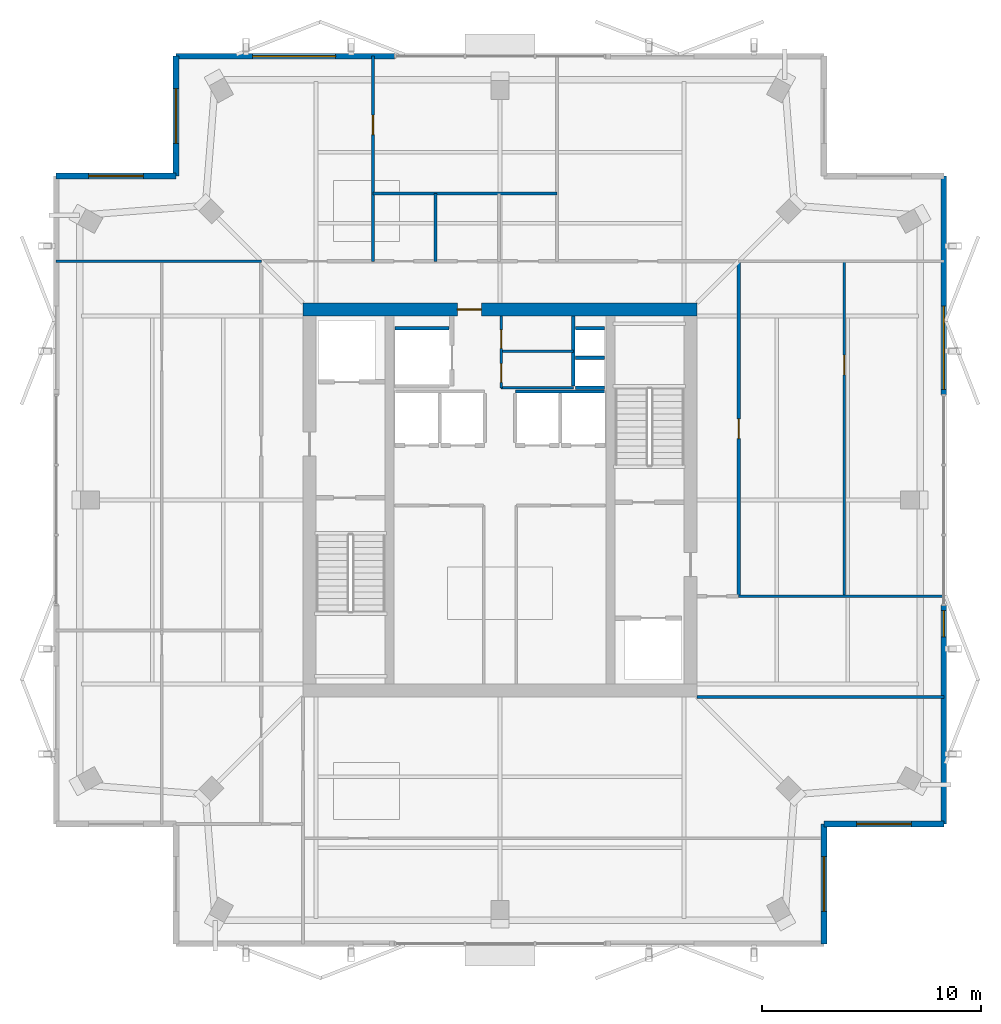
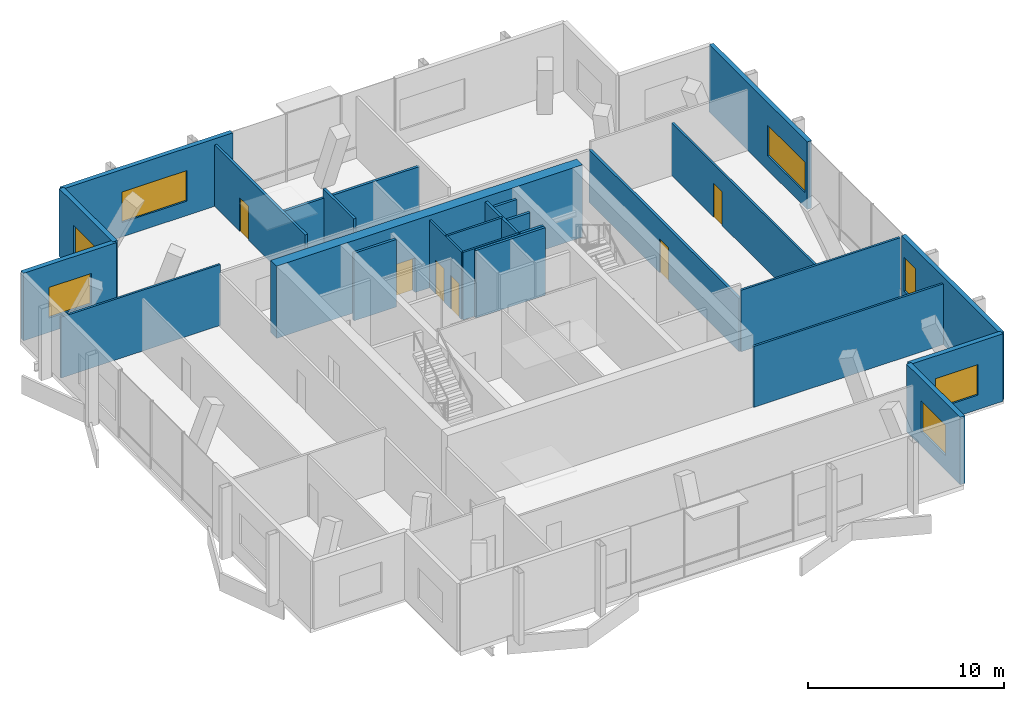
# One storey, part 13 of 16: 25 walls, 7 windows, 6 doors, 13 openings.
"""IFC4 building model written with IfcOpenShell, lengths in metres."""

from ifc_helpers import new_model, si_unit, direction, frame, frame_2d, origin, place, context, subcontext, project, spatial, rectangle, extrude, material, layer, layer_set, type_object, element, fill, save


model = new_model("IFC4")

# Units and contexts
model_context = context("Model", 3, precision=1e-05, world=origin(), true_north=direction((0.0, 1.0)))
body_context = subcontext(model_context, "Body", "Model", "MODEL_VIEW")
ifc_project = project(units=[si_unit("LENGTHUNIT", "METRE"), si_unit("AREAUNIT", "SQUARE_METRE"), si_unit("VOLUMEUNIT", "CUBIC_METRE"), si_unit("PLANEANGLEUNIT", "RADIAN"), si_unit("MASSUNIT", "GRAM", prefix="KILO")], contexts=[model_context])

# Site, building, storey
site_placement = place(None, origin())
site = spatial("IfcSite", under=ifc_project, at=site_placement, CompositionType="ELEMENT")
building_placement = place(site_placement, origin())
building = spatial("IfcBuilding", under=site, at=building_placement, Name="Belovzor Exchange Tower", CompositionType="ELEMENT")
storey_placement = place(building_placement, frame((0.0, 0.0, 364.5)))
storey = spatial("IfcBuildingStorey", under=building, at=storey_placement, Name="L91", CompositionType="ELEMENT", Elevation=364.5)

# Walls
ifc_material_1 = material(Name="Acoustic Plasterboard on Galvanised Studs", Category="gypsum")
ifc_layer_1 = layer(ifc_material_1, 0.1201171875)
ifc_layer_set_1 = layer_set([ifc_layer_1], Name="Acoustic Plasterboard on Galvanised Studs")
wall_type_1 = type_object("IfcWallType", Name="Acoustic Double-Stud Partition Wall 120", PredefinedType="PARTITIONING", material=ifc_layer_set_1)
wall_1_placement = place(storey_placement, frame((37.800048828125, 19.800048828125, 0.0), z_axis=(0.0, 0.0, 1.0), x_axis=(1.0, 0.0, 0.0)))
element("IfcWall", 1, at=wall_1_placement, inside=storey, type_object=wall_type_1, Name="W-P120 Partition Wall W-L91-ESS", PredefinedType="PARTITIONING", context=body_context, shape_type="SweptSolid", body=[
    extrude(rectangle(XDim=11.27001953125, YDim=0.1201171875, at=frame_2d((5.635009765625, 0.0))), origin(), (0.0, 0.0, 1.0), 3.784912109375),
])
wall_2_placement = place(storey_placement, frame((39.699951171875, 24.39990234375, 0.0), z_axis=(0.0, 0.0, 1.0), x_axis=(1.0, 0.0, 0.0)))
element("IfcWall", 2, at=wall_2_placement, inside=storey, type_object=wall_type_1, Name="W-P120 Partition Wall W-L91-ESN", PredefinedType="PARTITIONING", context=body_context, shape_type="SweptSolid", body=[
    extrude(rectangle(XDim=9.3701171875, YDim=0.1201171875, at=frame_2d((4.68505859375, 0.0))), origin(), (0.0, 0.0, 1.0), 3.824951171875),
])

# Wall, opening, door
wall_3_placement = place(storey_placement, frame((44.528076171875, 24.39990234375, 0.0), z_axis=(0.0, 0.0, 1.0), x_axis=(0.0, 1.0, 0.0)))
wall_3 = element("IfcWall", 3, at=wall_3_placement, inside=storey, type_object=wall_type_1, Name="W-P120 Partition Wall W-L91-EHDIV-0", PredefinedType="PARTITIONING", context=body_context, shape_type="SweptSolid", body=[
    extrude(rectangle(XDim=15.300048828125, YDim=0.1201171875, at=frame_2d((7.64990234375, 0.0))), origin(), (0.0, 0.0, 1.0), 3.284912109375),
])
opening_1_placement = place(wall_3_placement, frame((10.116943359375, 0.0, 0.0)))
opening_1 = element("IfcOpeningElement", 4, at=opening_1_placement, cuts=wall_3, Name="Opening D-INT-090", PredefinedType="OPENING", context=body_context, shape_type="SweptSolid", body=[
    extrude(rectangle(XDim=0.89990234375, YDim=2.10009765625, at=frame_2d((0.449951171875, 1.050048828125))), frame((0.0, 0.070068359375, 0.0), z_axis=(0.0, -1.0, 0.0), x_axis=(1.0, 0.0, 0.0)), (0.0, 0.0, 1.0), 0.14013671875),
])
ifc_material_2 = material(Name="Veneered Hardwood Acoustic Leaf", Category="wood")
door_type_1 = type_object("IfcDoorType", Name="Trading Suite Acoustic Single Door 900x2100", OperationType="NOTDEFINED", PredefinedType="DOOR", material=ifc_material_2)
door_1_placement = place(opening_1_placement, origin())
door_1 = element("IfcDoor", 5, at=door_1_placement, inside=storey, type_object=door_type_1, Name="D-INT-090 Trading Suite Acoustic Single Door 900x2100", OperationType="SINGLE_SWING_RIGHT", OverallHeight=2.10009765625, OverallWidth=0.89990234375, PredefinedType="DOOR", context=body_context, shape_type="SweptSolid", body=[
    extrude(rectangle(XDim=0.89990234375, YDim=2.10009765625, at=frame_2d((0.449951171875, 1.050048828125))), frame((0.0, 0.02490234375, 0.0), z_axis=(0.0, -1.0, 0.0), x_axis=(1.0, 0.0, 0.0)), (0.0, 0.0, 1.0), 0.050048828125),
])
fill(opening_1, door_1)

# Wall
wall_4_placement = place(storey_placement, frame((8.530029296875, 39.699951171875, 0.0), z_axis=(0.0, 0.0, 1.0), x_axis=(1.0, 0.0, 0.0)))
element("IfcWall", 6, at=wall_4_placement, inside=storey, type_object=wall_type_1, Name="W-P120 Partition Wall W-L91-END-NW", PredefinedType="PARTITIONING", context=body_context, shape_type="SweptSolid", body=[
    extrude(rectangle(XDim=9.369873046875, YDim=0.1201171875, at=frame_2d((4.68505859375, 0.0))), origin(), (0.0, 0.0, 1.0), 3.784912109375),
])

# Wall, openings, doors
ifc_material_3 = material(Name="Fire-Rated Plasterboard on Galvanised Studs", Category="gypsum")
ifc_layer_2 = layer(ifc_material_3, 0.1201171875)
ifc_layer_set_2 = layer_set([ifc_layer_2], Name="Fire-Rated Plasterboard on Galvanised Studs")
wall_type_2 = type_object("IfcWallType", Name="Fire-Rated Double-Stud Partition Wall 120", PredefinedType="PARTITIONING", material=ifc_layer_set_2)
wall_5_placement = place(storey_placement, frame((28.85009765625, 33.925048828125, 0.0), z_axis=(0.0, 0.0, 1.0), x_axis=(0.0, 1.0, 0.0)))
wall_5 = element("IfcWall", 7, at=wall_5_placement, inside=storey, type_object=wall_type_2, Name="W-P120F Partition Wall W-CRV-L91-W", PredefinedType="PARTITIONING", context=body_context, shape_type="SweptSolid", body=[
    extrude(rectangle(XDim=3.27490234375, YDim=0.1201171875, at=frame_2d((1.637451171875, 0.0))), origin(), (0.0, 0.0, 1.0), 4.199951171875),
])
opening_2_placement = place(wall_5_placement, frame((0.25, 0.0, 0.0)))
opening_2 = element("IfcOpeningElement", 8, at=opening_2_placement, cuts=wall_5, Name="Opening D-FD60-085", PredefinedType="OPENING", context=body_context, shape_type="SweptSolid", body=[
    extrude(rectangle(XDim=0.85009765625, YDim=2.10009765625, at=frame_2d((0.425048828125, 1.050048828125))), frame((0.0, 0.070068359375, 0.0), z_axis=(0.0, -1.0, 0.0), x_axis=(1.0, 0.0, 0.0)), (0.0, 0.0, 1.0), 0.14013671875),
])
opening_3_placement = place(wall_5_placement, frame((1.794921875, 0.0, 0.0)))
opening_3 = element("IfcOpeningElement", 9, at=opening_3_placement, cuts=wall_5, Name="Opening D-FD60-085", PredefinedType="OPENING", context=body_context, shape_type="SweptSolid", body=[
    extrude(rectangle(XDim=0.85009765625, YDim=2.10009765625, at=frame_2d((0.425048828125, 1.050048828125))), frame((0.0, 0.070068359375, 0.0), z_axis=(0.0, -1.0, 0.0), x_axis=(1.0, 0.0, 0.0)), (0.0, 0.0, 1.0), 0.14013671875),
])
ifc_material_4 = material(Name="Fire-Rated Steel Access Leaf", Category="steel")
door_type_2 = type_object("IfcDoorType", Name="Riser & Meter Closet Access Fire Door 850x2100", OperationType="NOTDEFINED", PredefinedType="DOOR", material=ifc_material_4)
door_2_placement = place(opening_2_placement, origin())
door_2 = element("IfcDoor", 10, at=door_2_placement, inside=storey, type_object=door_type_2, Name="D-FD60-085 Riser & Meter Closet Access Fire Door 850x2100", OperationType="SINGLE_SWING_LEFT", OverallHeight=2.10009765625, OverallWidth=0.85009765625, PredefinedType="DOOR", context=body_context, shape_type="SweptSolid", body=[
    extrude(rectangle(XDim=0.85009765625, YDim=2.10009765625, at=frame_2d((0.425048828125, 1.050048828125))), frame((0.0, 0.02490234375, 0.0), z_axis=(0.0, -1.0, 0.0), x_axis=(1.0, 0.0, 0.0)), (0.0, 0.0, 1.0), 0.050048828125),
])
fill(opening_2, door_2)
door_3_placement = place(opening_3_placement, origin())
door_3 = element("IfcDoor", 11, at=door_3_placement, inside=storey, type_object=door_type_2, Name="D-FD60-085 Riser & Meter Closet Access Fire Door 850x2100", OperationType="SINGLE_SWING_RIGHT", OverallHeight=2.10009765625, OverallWidth=0.85009765625, PredefinedType="DOOR", context=body_context, shape_type="SweptSolid", body=[
    extrude(rectangle(XDim=0.85009765625, YDim=2.10009765625, at=frame_2d((0.425048828125, 1.050048828125))), frame((0.0, 0.02490234375, 0.0), z_axis=(0.0, -1.0, 0.0), x_axis=(1.0, 0.0, 0.0)), (0.0, 0.0, 1.0), 0.050048828125),
])
fill(opening_3, door_3)

# Walls
for number, where, z_axis, x_axis, name in (
    (12, (28.85009765625, 35.60009765625, 0.0), (0.0, 0.0, 1.0), (1.0, 0.0, 0.0), "W-P120F Partition Wall W-CRV-L91-M"),
    (13, (28.85009765625, 33.925048828125, 0.0), (0.0, 0.0, 1.0), (1.0, 0.0, 0.0), "W-P120F Partition Wall W-CRV-L91-S"),
):
    element("IfcWall", number, at=place(storey_placement, frame(where, z_axis=z_axis, x_axis=x_axis)), inside=storey, type_object=wall_type_2, Name=name, PredefinedType="PARTITIONING", context=body_context, shape_type="SweptSolid", body=[
        extrude(rectangle(XDim=3.2998046875, YDim=0.1201171875, at=frame_2d((1.64990234375, 0.0))), origin(), (0.0, 0.0, 1.0), 4.199951171875),
    ])
ifc_material_5 = material(Name="Fire-Rated Gypsum Block and Mineral Wool", Category="gypsum")
ifc_layer_3 = layer(ifc_material_5, 0.14990234375)
ifc_layer_set_3 = layer_set([ifc_layer_3], Name="Fire-Rated Gypsum Block and Mineral Wool")
wall_type_3 = type_object("IfcWallType", Name="Fire-Rated Gypsum Block Corridor Wall 150", PredefinedType="PARTITIONING", material=ifc_layer_set_3)
wall_6_placement = place(storey_placement, frame((23.0, 42.800048828125, 0.0), z_axis=(0.0, 0.0, 1.0), x_axis=(1.0, 0.0, 0.0)))
element("IfcWall", 14, at=wall_6_placement, inside=storey, type_object=wall_type_3, Name="W-P150 Partition Wall W-L91-WCN", PredefinedType="PARTITIONING", context=body_context, shape_type="SweptSolid", body=[
    extrude(rectangle(XDim=8.39990234375, YDim=0.14990234375, at=frame_2d((4.199951171875, 0.0))), origin(), (0.0, 0.0, 1.0), 3.284912109375),
])

# Wall, opening, door
wall_7_placement = place(storey_placement, frame((23.0, 39.699951171875, 0.0), z_axis=(0.0, 0.0, 1.0), x_axis=(0.0, 1.0, 0.0)))
wall_7 = element("IfcWall", 15, at=wall_7_placement, inside=storey, type_object=wall_type_3, Name="W-P150 Partition Wall W-L91-WCW", PredefinedType="PARTITIONING", context=body_context, shape_type="SweptSolid", body=[
    extrude(rectangle(XDim=9.3701171875, YDim=0.14990234375, at=frame_2d((4.68505859375, 0.0))), origin(), (0.0, 0.0, 1.0), 3.824951171875),
])
opening_4_placement = place(wall_7_placement, frame((5.784912109375, 0.0, 0.0)))
opening_4 = element("IfcOpeningElement", 16, at=opening_4_placement, cuts=wall_7, Name="Opening D-INT-090", PredefinedType="OPENING", context=body_context, shape_type="SweptSolid", body=[
    extrude(rectangle(XDim=0.89990234375, YDim=2.10009765625, at=frame_2d((0.449951171875, 1.050048828125))), frame((0.0, 0.0849609375, 0.0), z_axis=(0.0, -1.0, 0.0), x_axis=(1.0, 0.0, 0.0)), (0.0, 0.0, 1.0), 0.169921875),
])
door_4_placement = place(opening_4_placement, origin())
door_4 = element("IfcDoor", 17, at=door_4_placement, inside=storey, type_object=door_type_1, Name="D-INT-090 Trading Suite Acoustic Single Door 900x2100", OperationType="SINGLE_SWING_LEFT", OverallHeight=2.10009765625, OverallWidth=0.89990234375, PredefinedType="DOOR", context=body_context, shape_type="SweptSolid", body=[
    extrude(rectangle(XDim=0.89990234375, YDim=2.10009765625, at=frame_2d((0.449951171875, 1.050048828125))), frame((0.0, 0.02490234375, 0.0), z_axis=(0.0, -1.0, 0.0), x_axis=(1.0, 0.0, 0.0)), (0.0, 0.0, 1.0), 0.050048828125),
])
fill(opening_4, door_4)

# Wall
wall_8_placement = place(storey_placement, frame((25.85009765625, 39.699951171875, 0.0), z_axis=(0.0, 0.0, 1.0), x_axis=(0.0, 1.0, 0.0)))
element("IfcWall", 18, at=wall_8_placement, inside=storey, type_object=wall_type_3, Name="W-P150 Partition Wall W-L91-WCD1", PredefinedType="PARTITIONING", context=body_context, shape_type="SweptSolid", body=[
    extrude(rectangle(XDim=3.10009765625, YDim=0.14990234375, at=frame_2d((1.550048828125, 0.0))), origin(), (0.0, 0.0, 1.0), 3.824951171875),
])

# Wall, opening, door
wall_9_placement = place(storey_placement, frame((39.699951171875, 24.39990234375, 0.0), z_axis=(0.0, 0.0, 1.0), x_axis=(0.0, 1.0, 0.0)))
wall_9 = element("IfcWall", 19, at=wall_9_placement, inside=storey, type_object=wall_type_3, Name="W-P150 Partition Wall W-L91-CE", PredefinedType="PARTITIONING", context=body_context, shape_type="SweptSolid", body=[
    extrude(rectangle(XDim=15.300048828125, YDim=0.14990234375, at=frame_2d((7.64990234375, 0.0))), origin(), (0.0, 0.0, 1.0), 3.284912109375),
])
opening_5_placement = place(wall_9_placement, frame((7.199951171875, 0.0, 0.0)))
opening_5 = element("IfcOpeningElement", 20, at=opening_5_placement, cuts=wall_9, Name="Opening D-INT-090", PredefinedType="OPENING", context=body_context, shape_type="SweptSolid", body=[
    extrude(rectangle(XDim=0.89990234375, YDim=2.10009765625, at=frame_2d((0.449951171875, 1.050048828125))), frame((0.0, 0.0849609375, 0.0), z_axis=(0.0, -1.0, 0.0), x_axis=(1.0, 0.0, 0.0)), (0.0, 0.0, 1.0), 0.169921875),
])
door_5_placement = place(opening_5_placement, origin())
door_5 = element("IfcDoor", 21, at=door_5_placement, inside=storey, type_object=door_type_1, Name="D-INT-090 Trading Suite Acoustic Single Door 900x2100", OperationType="SINGLE_SWING_LEFT", OverallHeight=2.10009765625, OverallWidth=0.89990234375, PredefinedType="DOOR", context=body_context, shape_type="SweptSolid", body=[
    extrude(rectangle(XDim=0.89990234375, YDim=2.10009765625, at=frame_2d((0.449951171875, 1.050048828125))), frame((0.0, 0.02490234375, 0.0), z_axis=(0.0, -1.0, 0.0), x_axis=(1.0, 0.0, 0.0)), (0.0, 0.0, 1.0), 0.050048828125),
])
fill(opening_5, door_5)

# Wall, opening, window
ifc_material_6 = material(Name="Precast concrete C40/50", Category="concrete")
ifc_layer_4 = layer(ifc_material_6, 0.280029296875)
ifc_layer_set_4 = layer_set([ifc_layer_4], Name="Precast concrete C40/50")
wall_type_4 = type_object("IfcWallType", Name="Precast Concrete Notched Corner Frame Wall 280", PredefinedType="SOLIDWALL", material=ifc_layer_set_4)
wall_10_placement = place(storey_placement, frame((8.530029296875, 43.60009765625, 0.0), z_axis=(0.0, 0.0, 1.0), x_axis=(1.0, 0.0, 0.0)))
wall_10 = element("IfcWall", 22, at=wall_10_placement, inside=storey, type_object=wall_type_4, Name="W-CRN280 Precast Concrete Notched Corner Frame Wall 280 L91", PredefinedType="SOLIDWALL", context=body_context, shape_type="SweptSolid", body=[
    extrude(rectangle(XDim=5.469970703125, YDim=0.280029296875, at=frame_2d((2.73486328125, 0.0))), origin(), (0.0, 0.0, 1.0), 4.199951171875),
])
opening_6_placement = place(wall_10_placement, frame((1.485107421875, 0.0, 0.89990234375)))
opening_6 = element("IfcOpeningElement", 23, at=opening_6_placement, cuts=wall_10, Name="Opening WN-CRN250", PredefinedType="OPENING", context=body_context, shape_type="SweptSolid", body=[
    extrude(rectangle(XDim=2.5, YDim=1.89990234375, at=frame_2d((1.25, 0.949951171875))), frame((0.0, 0.14990234375, 0.0), z_axis=(0.0, -1.0, 0.0), x_axis=(1.0, 0.0, 0.0)), (0.0, 0.0, 1.0), 0.300048828125),
])
ifc_material_7 = material(Name="Thermally Broken Aluminium and Triple Glazing", Category="aluminium")
window_type_1 = type_object("IfcWindowType", Name="Streamline Moderne Corner Wrap Ribbon Window 2500x1900", PartitioningType="SINGLE_PANEL", PredefinedType="WINDOW", material=ifc_material_7)
window_1_placement = place(opening_6_placement, origin())
window_1 = element("IfcWindow", 24, at=window_1_placement, inside=storey, type_object=window_type_1, Name="WN-CRN250 Streamline Moderne Corner Wrap Ribbon Window 2500x1900", OverallHeight=1.89990234375, OverallWidth=2.5, PartitioningType="SINGLE_PANEL", PredefinedType="WINDOW", context=body_context, shape_type="SweptSolid", body=[
    extrude(rectangle(XDim=2.5, YDim=1.89990234375, at=frame_2d((1.25, 0.949951171875))), frame((0.0, 0.030029296875, 0.0), z_axis=(0.0, -1.0, 0.0), x_axis=(1.0, 0.0, 0.0)), (0.0, 0.0, 1.0), 0.06005859375),
])
fill(opening_6, window_1)

wall_11_placement = place(storey_placement, frame((14.0, 43.60009765625, 0.0), z_axis=(0.0, 0.0, 1.0), x_axis=(0.0, 1.0, 0.0)))
wall_11 = element("IfcWall", 25, at=wall_11_placement, inside=storey, type_object=wall_type_4, Name="W-CRN280 Precast Concrete Notched Corner Frame Wall 280 L91", PredefinedType="SOLIDWALL", context=body_context, shape_type="SweptSolid", body=[
    extrude(rectangle(XDim=5.469970703125, YDim=0.280029296875, at=frame_2d((2.73486328125, 0.0))), origin(), (0.0, 0.0, 1.0), 4.199951171875),
])
opening_7_placement = place(wall_11_placement, frame((1.485107421875, 0.0, 0.89990234375)))
opening_7 = element("IfcOpeningElement", 26, at=opening_7_placement, cuts=wall_11, Name="Opening WN-CRN250", PredefinedType="OPENING", context=body_context, shape_type="SweptSolid", body=[
    extrude(rectangle(XDim=2.5, YDim=1.89990234375, at=frame_2d((1.25, 0.949951171875))), frame((0.0, 0.14990234375, 0.0), z_axis=(0.0, -1.0, 0.0), x_axis=(1.0, 0.0, 0.0)), (0.0, 0.0, 1.0), 0.300048828125),
])
window_2_placement = place(opening_7_placement, origin())
window_2 = element("IfcWindow", 27, at=window_2_placement, inside=storey, type_object=window_type_1, Name="WN-CRN250 Streamline Moderne Corner Wrap Ribbon Window 2500x1900", OverallHeight=1.89990234375, OverallWidth=2.5, PartitioningType="SINGLE_PANEL", PredefinedType="WINDOW", context=body_context, shape_type="SweptSolid", body=[
    extrude(rectangle(XDim=2.5, YDim=1.89990234375, at=frame_2d((1.25, 0.949951171875))), frame((0.0, 0.030029296875, 0.0), z_axis=(0.0, -1.0, 0.0), x_axis=(1.0, 0.0, 0.0)), (0.0, 0.0, 1.0), 0.06005859375),
])
fill(opening_7, window_2)

wall_12_placement = place(storey_placement, frame((49.070068359375, 14.0, 0.0), z_axis=(0.0, 0.0, 1.0), x_axis=(-1.0, 0.0, 0.0)))
wall_12 = element("IfcWall", 28, at=wall_12_placement, inside=storey, type_object=wall_type_4, Name="W-CRN280 Precast Concrete Notched Corner Frame Wall 280 L91", PredefinedType="SOLIDWALL", context=body_context, shape_type="SweptSolid", body=[
    extrude(rectangle(XDim=5.469970703125, YDim=0.280029296875, at=frame_2d((2.73486328125, 0.0))), origin(), (0.0, 0.0, 1.0), 4.199951171875),
])
opening_8_placement = place(wall_12_placement, frame((1.485107421875, 0.0, 0.89990234375)))
opening_8 = element("IfcOpeningElement", 29, at=opening_8_placement, cuts=wall_12, Name="Opening WN-CRN250", PredefinedType="OPENING", context=body_context, shape_type="SweptSolid", body=[
    extrude(rectangle(XDim=2.5, YDim=1.89990234375, at=frame_2d((1.25, 0.949951171875))), frame((0.0, 0.14990234375, 0.0), z_axis=(0.0, -1.0, 0.0), x_axis=(1.0, 0.0, 0.0)), (0.0, 0.0, 1.0), 0.300048828125),
])
window_3_placement = place(opening_8_placement, origin())
window_3 = element("IfcWindow", 30, at=window_3_placement, inside=storey, type_object=window_type_1, Name="WN-CRN250 Streamline Moderne Corner Wrap Ribbon Window 2500x1900", OverallHeight=1.89990234375, OverallWidth=2.5, PartitioningType="SINGLE_PANEL", PredefinedType="WINDOW", context=body_context, shape_type="SweptSolid", body=[
    extrude(rectangle(XDim=2.5, YDim=1.89990234375, at=frame_2d((1.25, 0.949951171875))), frame((0.0, 0.030029296875, 0.0), z_axis=(0.0, -1.0, 0.0), x_axis=(1.0, 0.0, 0.0)), (0.0, 0.0, 1.0), 0.06005859375),
])
fill(opening_8, window_3)

wall_13_placement = place(storey_placement, frame((43.60009765625, 14.0, 0.0), z_axis=(0.0, 0.0, 1.0), x_axis=(0.0, -1.0, 0.0)))
wall_13 = element("IfcWall", 31, at=wall_13_placement, inside=storey, type_object=wall_type_4, Name="W-CRN280 Precast Concrete Notched Corner Frame Wall 280 L91", PredefinedType="SOLIDWALL", context=body_context, shape_type="SweptSolid", body=[
    extrude(rectangle(XDim=5.469970703125, YDim=0.280029296875, at=frame_2d((2.73486328125, 0.0))), origin(), (0.0, 0.0, 1.0), 4.199951171875),
])
opening_9_placement = place(wall_13_placement, frame((1.485107421875, 0.0, 0.89990234375)))
opening_9 = element("IfcOpeningElement", 32, at=opening_9_placement, cuts=wall_13, Name="Opening WN-CRN250", PredefinedType="OPENING", context=body_context, shape_type="SweptSolid", body=[
    extrude(rectangle(XDim=2.5, YDim=1.89990234375, at=frame_2d((1.25, 0.949951171875))), frame((0.0, 0.14990234375, 0.0), z_axis=(0.0, -1.0, 0.0), x_axis=(1.0, 0.0, 0.0)), (0.0, 0.0, 1.0), 0.300048828125),
])
window_4_placement = place(opening_9_placement, origin())
window_4 = element("IfcWindow", 33, at=window_4_placement, inside=storey, type_object=window_type_1, Name="WN-CRN250 Streamline Moderne Corner Wrap Ribbon Window 2500x1900", OverallHeight=1.89990234375, OverallWidth=2.5, PartitioningType="SINGLE_PANEL", PredefinedType="WINDOW", context=body_context, shape_type="SweptSolid", body=[
    extrude(rectangle(XDim=2.5, YDim=1.89990234375, at=frame_2d((1.25, 0.949951171875))), frame((0.0, 0.030029296875, 0.0), z_axis=(0.0, -1.0, 0.0), x_axis=(1.0, 0.0, 0.0)), (0.0, 0.0, 1.0), 0.06005859375),
])
fill(opening_9, window_4)

ifc_material_8 = material(Name="Precast concrete C40/50", Category="concrete")
ifc_layer_5 = layer(ifc_material_8, 0.260009765625)
ifc_layer_set_5 = layer_set([ifc_layer_5], Name="Precast concrete C40/50")
wall_type_5 = type_object("IfcWallType", Name="Precast Concrete Perimeter Loggia Frame Wall 260", PredefinedType="SOLIDWALL", material=ifc_layer_set_5)
wall_14_placement = place(storey_placement, frame((14.0, 49.070068359375, 0.0), z_axis=(0.0, 0.0, 1.0), x_axis=(1.0, 0.0, 0.0)))
wall_14 = element("IfcWall", 34, at=wall_14_placement, inside=storey, type_object=wall_type_5, Name="W-EXT260 Precast Concrete Perimeter Loggia Frame Wall 260 L91", PredefinedType="SOLIDWALL", context=body_context, shape_type="SweptSolid", body=[
    extrude(rectangle(XDim=10.0, YDim=0.260009765625, at=frame_2d((5.0, 0.0))), origin(), (0.0, 0.0, 1.0), 4.199951171875),
])
opening_10_placement = place(wall_14_placement, frame((3.49609375, 0.0, 0.89990234375)))
opening_10 = element("IfcOpeningElement", 35, at=opening_10_placement, cuts=wall_14, Name="Opening WN-RIB380", PredefinedType="OPENING", context=body_context, shape_type="SweptSolid", body=[
    extrude(rectangle(XDim=3.800048828125, YDim=1.89990234375, at=frame_2d((1.89990234375, 0.949951171875))), frame((0.0, 0.139892578125, 0.0), z_axis=(0.0, -1.0, 0.0), x_axis=(1.0, 0.0, 0.0)), (0.0, 0.0, 1.0), 0.280029296875),
])
ifc_material_9 = material(Name="Thermally Broken Aluminium and Triple Glazing", Category="aluminium")
window_type_2 = type_object("IfcWindowType", Name="Streamline Moderne Horizontal Ribbon Window 3800x1900", PartitioningType="SINGLE_PANEL", PredefinedType="WINDOW", material=ifc_material_9)
window_5_placement = place(opening_10_placement, origin())
window_5 = element("IfcWindow", 36, at=window_5_placement, inside=storey, type_object=window_type_2, Name="WN-RIB380 Streamline Moderne Horizontal Ribbon Window 3800x1900", OverallHeight=1.89990234375, OverallWidth=3.800048828125, PartitioningType="SINGLE_PANEL", PredefinedType="WINDOW", context=body_context, shape_type="SweptSolid", body=[
    extrude(rectangle(XDim=3.800048828125, YDim=1.89990234375, at=frame_2d((1.89990234375, 0.949951171875))), frame((0.0, 0.030029296875, 0.0), z_axis=(0.0, -1.0, 0.0), x_axis=(1.0, 0.0, 0.0)), (0.0, 0.0, 1.0), 0.06005859375),
])
fill(opening_10, window_5)

wall_15_placement = place(storey_placement, frame((49.070068359375, 43.60009765625, 0.0), z_axis=(0.0, 0.0, 1.0), x_axis=(0.0, -1.0, 0.0)))
wall_15 = element("IfcWall", 37, at=wall_15_placement, inside=storey, type_object=wall_type_5, Name="W-EXT260 Precast Concrete Perimeter Loggia Frame Wall 260 L91", PredefinedType="SOLIDWALL", context=body_context, shape_type="SweptSolid", body=[
    extrude(rectangle(XDim=10.0, YDim=0.260009765625, at=frame_2d((5.0, 0.0))), origin(), (0.0, 0.0, 1.0), 4.199951171875),
])
opening_11_placement = place(wall_15_placement, frame((5.949951171875, 0.0, 0.89990234375)))
opening_11 = element("IfcOpeningElement", 38, at=opening_11_placement, cuts=wall_15, Name="Opening WN-RIB380", PredefinedType="OPENING", context=body_context, shape_type="SweptSolid", body=[
    extrude(rectangle(XDim=3.800048828125, YDim=1.89990234375, at=frame_2d((1.89990234375, 0.949951171875))), frame((0.0, 0.139892578125, 0.0), z_axis=(0.0, -1.0, 0.0), x_axis=(1.0, 0.0, 0.0)), (0.0, 0.0, 1.0), 0.280029296875),
])
window_6_placement = place(opening_11_placement, origin())
window_6 = element("IfcWindow", 39, at=window_6_placement, inside=storey, type_object=window_type_2, Name="WN-RIB380 Streamline Moderne Horizontal Ribbon Window 3800x1900", OverallHeight=1.89990234375, OverallWidth=3.800048828125, PartitioningType="SINGLE_PANEL", PredefinedType="WINDOW", context=body_context, shape_type="SweptSolid", body=[
    extrude(rectangle(XDim=3.800048828125, YDim=1.89990234375, at=frame_2d((1.89990234375, 0.949951171875))), frame((0.0, 0.030029296875, 0.0), z_axis=(0.0, -1.0, 0.0), x_axis=(1.0, 0.0, 0.0)), (0.0, 0.0, 1.0), 0.06005859375),
])
fill(opening_11, window_6)

wall_16_placement = place(storey_placement, frame((49.070068359375, 24.0, 0.0), z_axis=(0.0, 0.0, 1.0), x_axis=(0.0, -1.0, 0.0)))
wall_16 = element("IfcWall", 40, at=wall_16_placement, inside=storey, type_object=wall_type_5, Name="W-EXT260 Precast Concrete Perimeter Loggia Frame Wall 260 L91", PredefinedType="SOLIDWALL", context=body_context, shape_type="SweptSolid", body=[
    extrude(rectangle(XDim=10.0, YDim=0.260009765625, at=frame_2d((5.0, 0.0))), origin(), (0.0, 0.0, 1.0), 4.199951171875),
])
opening_12_placement = place(wall_16_placement, frame((0.25, 0.0, 0.89990234375)))
opening_12 = element("IfcOpeningElement", 41, at=opening_12_placement, cuts=wall_16, Name="Opening WN-CRN120", PredefinedType="OPENING", context=body_context, shape_type="SweptSolid", body=[
    extrude(rectangle(XDim=1.199951171875, YDim=2.10009765625, at=frame_2d((0.60009765625, 1.050048828125))), frame((0.0, 0.139892578125, 0.0), z_axis=(0.0, -1.0, 0.0), x_axis=(1.0, 0.0, 0.0)), (0.0, 0.0, 1.0), 0.280029296875),
])
ifc_material_10 = material(Name="Thermally Broken Aluminium and Triple Glazing", Category="aluminium")
window_type_3 = type_object("IfcWindowType", Name="Streamline Notched Corner Window 1200x2100", PartitioningType="SINGLE_PANEL", PredefinedType="WINDOW", material=ifc_material_10)
window_7_placement = place(opening_12_placement, origin())
window_7 = element("IfcWindow", 42, at=window_7_placement, inside=storey, type_object=window_type_3, Name="WN-CRN120 Streamline Notched Corner Window 1200x2100", OverallHeight=2.10009765625, OverallWidth=1.199951171875, PartitioningType="SINGLE_PANEL", PredefinedType="WINDOW", context=body_context, shape_type="SweptSolid", body=[
    extrude(rectangle(XDim=1.199951171875, YDim=2.10009765625, at=frame_2d((0.60009765625, 1.050048828125))), frame((0.0, 0.030029296875, 0.0), z_axis=(0.0, -1.0, 0.0), x_axis=(1.0, 0.0, 0.0)), (0.0, 0.0, 1.0), 0.06005859375),
])
fill(opening_12, window_7)

# Walls
ifc_material_11 = material(Name="Concrete C50/60", Category="concrete")
ifc_layer_6 = layer(ifc_material_11, 0.14990234375)
ifc_layer_set_6 = layer_set([ifc_layer_6], Name="Concrete C50/60")
wall_type_6 = type_object("IfcWallType", Name="Reinforced Concrete Core Riser Shear Wall 150", PredefinedType="SHEAR", material=ifc_layer_set_6)
wall_17_placement = place(storey_placement, frame((32.14990234375, 34.0, 0.0), z_axis=(0.0, 0.0, 1.0), x_axis=(0.0, 1.0, 0.0)))
element("IfcWall", 43, at=wall_17_placement, inside=storey, type_object=wall_type_6, Name="W-C150S Core Shaft Wall W-RSR-L91-E", PredefinedType="SHEAR", context=body_context, shape_type="SweptSolid", body=[
    extrude(rectangle(XDim=3.199951171875, YDim=0.14990234375, at=frame_2d((1.60009765625, 0.0))), origin(), (0.0, 0.0, 1.0), 4.199951171875),
])
for number, where, z_axis, x_axis, name in (
    (44, (32.25, 33.925048828125, 0.0), (0.0, 0.0, 1.0), (1.0, 0.0, 0.0), "W-C150S Core Shaft Wall W-RSR-L91-S"),
    (45, (32.25, 35.300048828125, 0.0), (0.0, 0.0, 1.0), (1.0, 0.0, 0.0), "W-C150S Core Shaft Wall W-RSR-L91-M"),
):
    element("IfcWall", number, at=place(storey_placement, frame(where, z_axis=z_axis, x_axis=x_axis)), inside=storey, type_object=wall_type_6, Name=name, PredefinedType="SHEAR", context=body_context, shape_type="SweptSolid", body=[
        extrude(rectangle(XDim=1.330078125, YDim=0.14990234375, at=frame_2d((0.6650390625, 0.0))), origin(), (0.0, 0.0, 1.0), 4.199951171875),
    ])
wall_18_placement = place(storey_placement, frame((24.0, 36.64990234375, 0.0), z_axis=(0.0, 0.0, 1.0), x_axis=(1.0, 0.0, 0.0)))
element("IfcWall", 46, at=wall_18_placement, inside=storey, type_object=wall_type_6, Name="W-C150S Core Shaft Wall W-SH-L91-SL-01N", PredefinedType="SHEAR", context=body_context, shape_type="SweptSolid", body=[
    extrude(rectangle(XDim=2.47998046875, YDim=0.14990234375, at=frame_2d((1.239990234375, 0.0))), origin(), (0.0, 0.0, 1.0), 4.199951171875),
])
wall_19_placement = place(storey_placement, frame((32.25, 36.64990234375, 0.0), z_axis=(0.0, 0.0, 1.0), x_axis=(1.0, 0.0, 0.0)))
element("IfcWall", 47, at=wall_19_placement, inside=storey, type_object=wall_type_6, Name="W-C150S Core Shaft Wall W-RSR-L91-N", PredefinedType="SHEAR", context=body_context, shape_type="SweptSolid", body=[
    extrude(rectangle(XDim=1.330078125, YDim=0.14990234375, at=frame_2d((0.6650390625, 0.0))), origin(), (0.0, 0.0, 1.0), 4.199951171875),
])
wall_20_placement = place(storey_placement, frame((29.5, 33.760009765625, 0.0), z_axis=(0.0, 0.0, 1.0), x_axis=(1.0, 0.0, 0.0)))
element("IfcWall", 48, at=wall_20_placement, inside=storey, type_object=wall_type_6, Name="W-C150S Core Shaft Wall W-SHB-L91-PLH-NE", PredefinedType="SHEAR", context=body_context, shape_type="SweptSolid", body=[
    extrude(rectangle(XDim=4.080078125, YDim=0.14990234375, at=frame_2d((2.0400390625, 0.0))), origin(), (0.0, 0.0, 1.0), 4.199951171875),
])

# Wall, opening, door
ifc_material_12 = material(Name="Concrete C50/60", Category="concrete")
ifc_layer_7 = layer(ifc_material_12, 0.60009765625)
ifc_layer_set_7 = layer_set([ifc_layer_7], Name="Concrete C50/60")
wall_type_7 = type_object("IfcWallType", Name="Reinforced Concrete Core Shear Wall 600", PredefinedType="SHEAR", material=ifc_layer_set_7)
wall_21_placement = place(storey_placement, frame((19.800048828125, 37.5, 0.0), z_axis=(0.0, 0.0, 1.0), x_axis=(1.0, 0.0, 0.0)))
wall_21 = element("IfcWall", 49, at=wall_21_placement, inside=storey, type_object=wall_type_7, Name="CW-S060 Core Shear Wall L91 N", PredefinedType="SHEAR", context=body_context, shape_type="SweptSolid", body=[
    extrude(rectangle(XDim=18.0, YDim=0.60009765625, at=frame_2d((9.0, 0.0))), origin(), (0.0, 0.0, 1.0), 4.5),
])
opening_13_placement = place(wall_21_placement, frame((7.050048828125, 0.0, 0.0)))
opening_13 = element("IfcOpeningElement", 50, at=opening_13_placement, cuts=wall_21, Name="Opening D-FD90-110", PredefinedType="OPENING", context=body_context, shape_type="SweptSolid", body=[
    extrude(rectangle(XDim=1.10009765625, YDim=2.14990234375, at=frame_2d((0.550048828125, 1.074951171875))), frame((0.0, 0.31005859375, 0.0), z_axis=(0.0, -1.0, 0.0), x_axis=(1.0, 0.0, 0.0)), (0.0, 0.0, 1.0), 0.6201171875),
])
ifc_material_13 = material(Name="Fire-Rated Galvanised Steel Leaf", Category="steel")
door_type_3 = type_object("IfcDoorType", Name="Protected Escape Vestibule Fire Door 1100x2150", OperationType="NOTDEFINED", PredefinedType="DOOR", material=ifc_material_13)
door_6_placement = place(opening_13_placement, origin())
door_6 = element("IfcDoor", 51, at=door_6_placement, inside=storey, type_object=door_type_3, Name="D-FD90-110 Protected Escape Vestibule Fire Door 1100x2150", OperationType="SINGLE_SWING_LEFT", OverallHeight=2.14990234375, OverallWidth=1.10009765625, PredefinedType="DOOR", context=body_context, shape_type="SweptSolid", body=[
    extrude(rectangle(XDim=1.10009765625, YDim=2.14990234375, at=frame_2d((0.550048828125, 1.074951171875))), frame((0.0, 0.02490234375, 0.0), z_axis=(0.0, -1.0, 0.0), x_axis=(1.0, 0.0, 0.0)), (0.0, 0.0, 1.0), 0.050048828125),
])
fill(opening_13, door_6)

save(model, "model.ifc")
